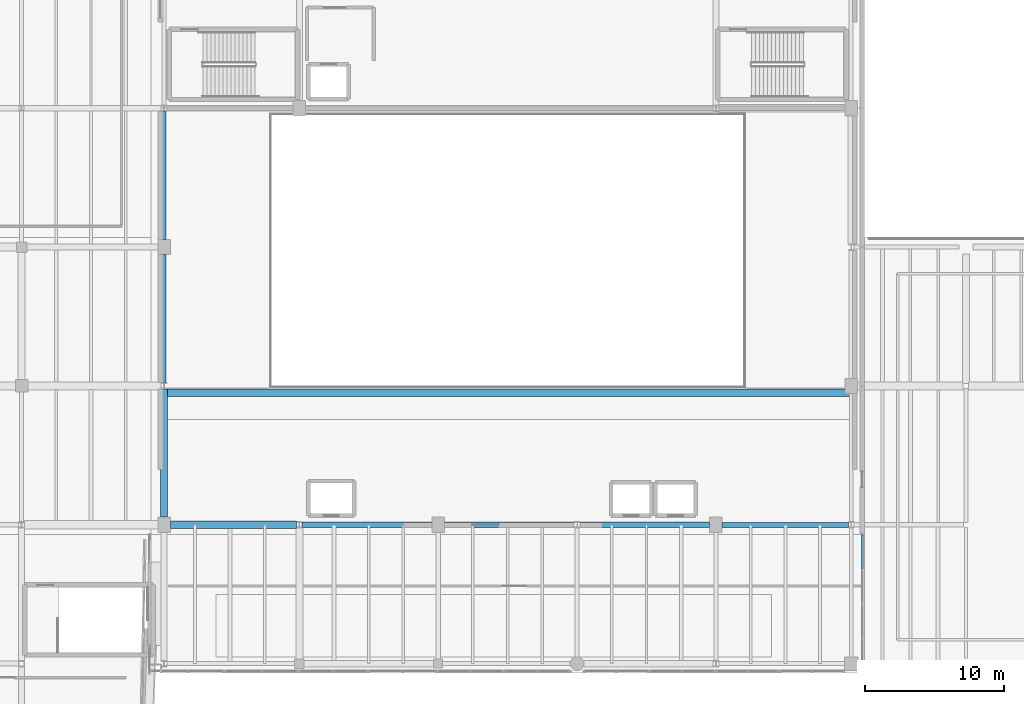
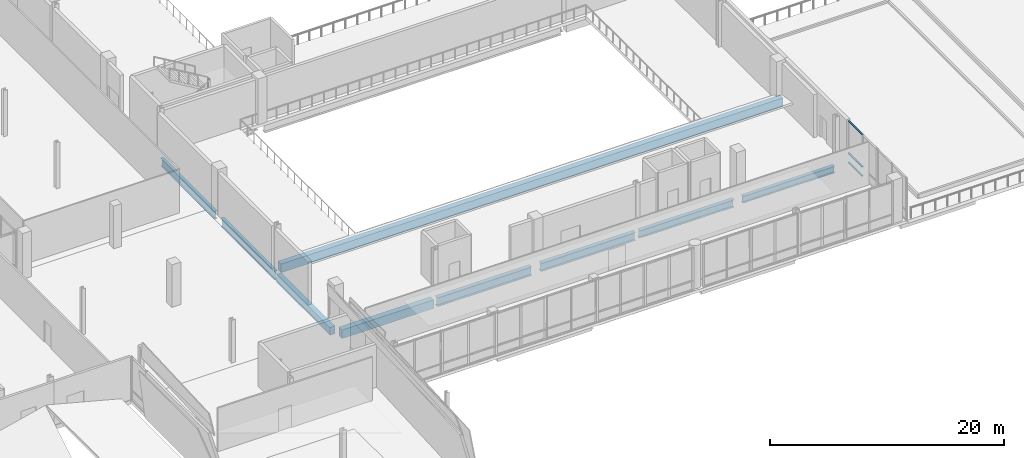
# One storey, part 20 of 41: 9 beams, 3 members, 1 element without a shape of its own.
"""IFC4 building model written with IfcOpenShell, lengths in metres."""

from ifc_helpers import new_model, si_unit, direction, frame, origin, origin_2d, place, context, subcontext, project, spatial, rectangle, i_section, extrude, material, material_profile, profile_set, type_object, element, aggregate, save


model = new_model("IFC4")

# Units and contexts
model_context = context("Model", 3, precision=1e-05, world=origin(), true_north=direction((0.0, 1.0)))
body_context = subcontext(model_context, "Body", "Model", "MODEL_VIEW")
ifc_project = project(units=[si_unit("LENGTHUNIT", "METRE"), si_unit("AREAUNIT", "SQUARE_METRE"), si_unit("VOLUMEUNIT", "CUBIC_METRE"), si_unit("PLANEANGLEUNIT", "RADIAN"), si_unit("MASSUNIT", "GRAM", prefix="KILO")], contexts=[model_context])

# Site, building, storey
site_placement = place(None, origin())
site = spatial("IfcSite", under=ifc_project, at=site_placement, CompositionType="ELEMENT")
building_placement = place(site_placement, origin())
building = spatial("IfcBuilding", under=site, at=building_placement, Name="Trimount Lyric Opera House", CompositionType="ELEMENT")
storey_placement = place(building_placement, frame((0.0, 0.0, 20.0)))
storey = spatial("IfcBuildingStorey", under=building, at=storey_placement, Name="L04", CompositionType="ELEMENT", Elevation=20.0)

# Beams
ifc_material_1 = material(Name="Steel ASTM A992 Grade 50", Category="steel")
ifc_material_profile_1 = material_profile(ifc_material_1, i_section(OverallWidth=0.4189453125, OverallDepth=0.927001953125, WebThickness=0.019287109375, FlangeThickness=0.031982421875, FilletRadius=0.02392578125, at=origin_2d()), Name="W36X231")
ifc_profile_set_1 = profile_set([ifc_material_profile_1], Name="Steel ASTM A992 Grade 50")
beam_type_1 = type_object("IfcBeamType", Name="B-02", PredefinedType="BEAM", material=ifc_profile_set_1)
beam_1_placement = place(storey_placement, frame((74.2109375, 54.0, -0.78857421875), z_axis=(1.0, 0.0, 0.0), x_axis=(0.0, 1.0, 0.0)))
element("IfcBeam", 1, at=beam_1_placement, inside=storey, type_object=beam_type_1, Name="L04 girder X-1143", PredefinedType="BEAM", context=body_context, shape_type="SweptSolid", body=[
    extrude(i_section(OverallWidth=0.4189453125, OverallDepth=0.927001953125, WebThickness=0.019287109375, FlangeThickness=0.031982421875, FilletRadius=0.02392578125, at=origin_2d()), origin(), (0.0, 0.0, 1.0), 9.339111328125),
])
ifc_material_2 = material(Name="Steel ASTM A992 Grade 50", Category="steel")
ifc_material_profile_2 = material_profile(ifc_material_2, i_section(OverallWidth=0.304931640625, OverallDepth=0.9189453125, WebThickness=0.017333984375, FlangeThickness=0.02783203125, FilletRadius=0.02001953125, at=origin_2d()), Name="W36X170")
ifc_profile_set_2 = profile_set([ifc_material_profile_2], Name="Steel ASTM A992 Grade 50")
beam_type_2 = type_object("IfcBeamType", Name="B-03", PredefinedType="BEAM", material=ifc_profile_set_2)
beam_2_placement = place(storey_placement, frame((64.260009765625, 64.232421875, -0.784423828125), z_axis=(0.0, 1.0, 0.0), x_axis=(-1.0, 0.0, 0.0)))
element("IfcBeam", 2, at=beam_2_placement, inside=storey, type_object=beam_type_2, Name="L04 girder Y-1218", PredefinedType="BEAM", context=body_context, shape_type="SweptSolid", body=[
    extrude(i_section(OverallWidth=0.304931640625, OverallDepth=0.9189453125, WebThickness=0.017333984375, FlangeThickness=0.02783203125, FilletRadius=0.02001953125, at=origin_2d()), origin(), (0.0, 0.0, 1.0), 9.217529296875),
])
ifc_material_3 = material(Name="Steel ASTM A992 Grade 50", Category="steel")
ifc_material_profile_3 = material_profile(ifc_material_3, i_section(OverallWidth=0.40087890625, OverallDepth=0.861083984375, WebThickness=0.019775390625, FlangeThickness=0.032470703125, FilletRadius=0.02001953125, at=origin_2d()), Name="W33X221")
ifc_profile_set_3 = profile_set([ifc_material_profile_3], Name="Steel ASTM A992 Grade 50")
beam_type_3 = type_object("IfcBeamType", Name="B-04", PredefinedType="BEAM", material=ifc_profile_set_3)
beam_3_placement = place(storey_placement, frame((84.449951171875, 54.0, -0.755615234375), z_axis=(1.0, 0.0, 0.0), x_axis=(0.0, 1.0, 0.0)))
element("IfcBeam", 3, at=beam_3_placement, inside=storey, type_object=beam_type_3, Name="L04 girder X-1144", PredefinedType="BEAM", context=body_context, shape_type="SweptSolid", body=[
    extrude(i_section(OverallWidth=0.40087890625, OverallDepth=0.861083984375, WebThickness=0.019775390625, FlangeThickness=0.032470703125, FilletRadius=0.02001953125, at=origin_2d()), origin(), (0.0, 0.0, 1.0), 9.339111328125),
])
ifc_material_4 = material(Name="Steel ASTM A992 Grade 50", Category="steel")
ifc_material_profile_4 = material_profile(ifc_material_4, i_section(OverallWidth=0.2919921875, OverallDepth=0.845947265625, WebThickness=0.015380859375, FlangeThickness=0.0244140625, FilletRadius=0.01806640625, at=origin_2d()), Name="W33X141")
ifc_profile_set_4 = profile_set([ifc_material_profile_4], Name="Steel ASTM A992 Grade 50")
beam_type_4 = type_object("IfcBeamType", Name="B-05", PredefinedType="BEAM", material=ifc_profile_set_4)
beam_4_placement = place(storey_placement, frame((64.260009765625, 74.550048828125, -0.748046875), z_axis=(0.0, 1.0, 0.0), x_axis=(-1.0, 0.0, 0.0)))
element("IfcBeam", 4, at=beam_4_placement, inside=storey, type_object=beam_type_4, Name="L04 girder Y-1219", PredefinedType="BEAM", context=body_context, shape_type="SweptSolid", body=[
    extrude(i_section(OverallWidth=0.2919921875, OverallDepth=0.845947265625, WebThickness=0.015380859375, FlangeThickness=0.0244140625, FilletRadius=0.01806640625, at=origin_2d()), origin(), (0.0, 0.0, 1.0), 9.217529296875),
])
ifc_material_5 = material(Name="Steel ASTM A992 Grade 50", Category="steel")
ifc_material_profile_5 = material_profile(ifc_material_5, i_section(OverallWidth=0.382080078125, OverallDepth=0.779052734375, WebThickness=0.01806640625, FlangeThickness=0.0302734375, FilletRadius=0.01904296875, at=origin_2d()), Name="W30X191")
ifc_profile_set_5 = profile_set([ifc_material_profile_5], Name="Steel ASTM A992 Grade 50")
beam_type_5 = type_object("IfcBeamType", Name="B-06", PredefinedType="BEAM", material=ifc_profile_set_5)
beam_5_placement = place(storey_placement, frame((94.2109375, 54.0, -0.714599609375), z_axis=(1.0, 0.0, 0.0), x_axis=(0.0, 1.0, 0.0)))
element("IfcBeam", 5, at=beam_5_placement, inside=storey, type_object=beam_type_5, Name="L04 girder X-1145", PredefinedType="BEAM", context=body_context, shape_type="SweptSolid", body=[
    extrude(i_section(OverallWidth=0.382080078125, OverallDepth=0.779052734375, WebThickness=0.01806640625, FlangeThickness=0.0302734375, FilletRadius=0.01904296875, at=origin_2d()), origin(), (0.0, 0.0, 1.0), 9.339111328125),
])
ifc_material_6 = material(Name="Steel ASTM A992 Grade 50", Category="steel")
ifc_material_profile_6 = material_profile(ifc_material_6, i_section(OverallWidth=0.35595703125, OverallDepth=0.700927734375, WebThickness=0.016845703125, FlangeThickness=0.02734375, FilletRadius=0.01806640625, at=origin_2d()), Name="W27X161")
ifc_profile_set_6 = profile_set([ifc_material_profile_6], Name="Steel ASTM A992 Grade 50")
beam_type_6 = type_object("IfcBeamType", Name="B-08", PredefinedType="BEAM", material=ifc_profile_set_6)
beam_6_placement = place(storey_placement, frame((104.449951171875, 54.0, -0.675537109375), z_axis=(1.0, 0.0, 0.0), x_axis=(0.0, 1.0, 0.0)))
element("IfcBeam", 6, at=beam_6_placement, inside=storey, type_object=beam_type_6, Name="L04 girder X-1146", PredefinedType="BEAM", context=body_context, shape_type="SweptSolid", body=[
    extrude(i_section(OverallWidth=0.35595703125, OverallDepth=0.700927734375, WebThickness=0.016845703125, FlangeThickness=0.02734375, FilletRadius=0.01806640625, at=origin_2d()), origin(), (0.0, 0.0, 1.0), 9.0791015625),
])
ifc_material_7 = material(Name="Concrete C40/50", Category="concrete")
ifc_material_profile_7 = material_profile(ifc_material_7, rectangle(XDim=0.550048828125, YDim=0.89990234375, at=origin_2d()), Name="RC550X900")
ifc_profile_set_7 = profile_set([ifc_material_profile_7], Name="Concrete C40/50")
beam_type_7 = type_object("IfcBeamType", Name="B-14", PredefinedType="BEAM", material=ifc_profile_set_7)
beam_7_placement = place(storey_placement, frame((64.7099609375, 54.0, -0.77490234375), z_axis=(1.0, 0.0, 0.0), x_axis=(0.0, 1.0, 0.0)))
element("IfcBeam", 7, at=beam_7_placement, inside=storey, type_object=beam_type_7, Name="L04 girder X-1142", PredefinedType="BEAM", context=body_context, shape_type="SweptSolid", body=[
    extrude(rectangle(XDim=0.550048828125, YDim=0.89990234375, at=origin_2d()), origin(), (0.0, 0.0, 1.0), 9.0791015625),
])
ifc_material_8 = material(Name="Concrete C40/50", Category="concrete")
ifc_material_profile_8 = material_profile(ifc_material_8, rectangle(XDim=0.5, YDim=0.800048828125, at=origin_2d()), Name="RC500X800")
ifc_profile_set_8 = profile_set([ifc_material_profile_8], Name="Concrete C40/50")
beam_type_8 = type_object("IfcBeamType", Name="B-15", PredefinedType="BEAM", material=ifc_profile_set_8)
beam_8_placement = place(storey_placement, frame((64.260009765625, 54.550048828125, -0.72509765625), z_axis=(0.0, 1.0, 0.0), x_axis=(-1.0, 0.0, 0.0)))
element("IfcBeam", 8, at=beam_8_placement, inside=storey, type_object=beam_type_8, Name="L04 girder Y-1217", PredefinedType="BEAM", context=body_context, shape_type="SweptSolid", body=[
    extrude(rectangle(XDim=0.5, YDim=0.800048828125, at=origin_2d()), origin(), (0.0, 0.0, 1.0), 9.217529296875),
])
ifc_material_9 = material(Name="Concrete C40/50", Category="concrete")
ifc_material_profile_9 = material_profile(ifc_material_9, rectangle(XDim=0.550048828125, YDim=0.89990234375, at=origin_2d()), Name="RC550X900")
ifc_profile_set_9 = profile_set([ifc_material_profile_9], Name="Concrete C40/50")
beam_type_9 = type_object("IfcBeamType", Name="RK-02", PredefinedType="USERDEFINED", material=ifc_profile_set_9)
beam_9_placement = place(storey_placement, frame((64.179931640625, 63.5, 0.55078125), z_axis=(1.0, 0.0, 0.0), x_axis=(0.0, 1.0, 0.0)))
element("IfcBeam", 9, at=beam_9_placement, inside=storey, type_object=beam_type_9, Name="Upper Gallery Balcony Tier raker 1", ObjectType="RAKER", PredefinedType="USERDEFINED", context=body_context, shape_type="SweptSolid", body=[
    extrude(rectangle(XDim=0.550048828125, YDim=0.89990234375, at=origin_2d()), origin(), (0.0, 0.0, 1.0), 49.64013671875),
])

# Curtain wall, members
ifc_material_10 = material(Name="Thermally Broken Aluminium and Low-E Glass", Category="aluminium")
curtain_wall_type = type_object("IfcCurtainWallType", Name="CW-05", PredefinedType="NOTDEFINED", material=ifc_material_10)
curtain_wall_placement = place(storey_placement, origin())
curtain_wall = element("IfcCurtainWall", 10, at=curtain_wall_placement, inside=storey, type_object=curtain_wall_type, Name="L04 curtain wall 321", PredefinedType="NOTDEFINED")
ifc_material_11 = material(Name="Anodised Aluminium 6063-T6", Category="aluminium")
ifc_material_profile_10 = material_profile(ifc_material_11, rectangle(XDim=0.159912109375, YDim=0.070068359375, at=origin_2d()), Name="ALU-TRAN-70X160")
ifc_profile_set_10 = profile_set([ifc_material_profile_10], Name="Anodised Aluminium 6063-T6")
member_type = type_object("IfcMemberType", Name="TR-01", PredefinedType="USERDEFINED", material=ifc_profile_set_10)
member_1_placement = place(storey_placement, frame((114.5400390625, 53.25, 0.080078125), z_axis=(0.0, -1.0, 0.0), x_axis=(1.0, 0.0, 0.0)))
member_1 = element("IfcMember", 11, at=member_1_placement, type_object=member_type, Name="CW-05 transom 1.1", ObjectType="TRANSOM", PredefinedType="USERDEFINED", context=body_context, shape_type="SweptSolid", body=[
    extrude(rectangle(XDim=0.159912109375, YDim=0.070068359375, at=origin_2d()), origin(), (0.0, 0.0, 1.0), 2.39501953125),
])
member_2_placement = place(storey_placement, frame((114.5400390625, 53.25, 1.050048828125), z_axis=(0.0, -1.0, 0.0), x_axis=(1.0, 0.0, 0.0)))
member_2 = element("IfcMember", 12, at=member_2_placement, type_object=member_type, Name="CW-05 transom 1.2", ObjectType="TRANSOM", PredefinedType="USERDEFINED", context=body_context, shape_type="SweptSolid", body=[
    extrude(rectangle(XDim=0.159912109375, YDim=0.070068359375, at=origin_2d()), origin(), (0.0, 0.0, 1.0), 2.39501953125),
])
member_3_placement = place(storey_placement, frame((114.5400390625, 53.25, 4.419921875), z_axis=(0.0, -1.0, 0.0), x_axis=(1.0, 0.0, 0.0)))
member_3 = element("IfcMember", 13, at=member_3_placement, type_object=member_type, Name="CW-05 transom 1.3", ObjectType="TRANSOM", PredefinedType="USERDEFINED", context=body_context, shape_type="SweptSolid", body=[
    extrude(rectangle(XDim=0.159912109375, YDim=0.070068359375, at=origin_2d()), origin(), (0.0, 0.0, 1.0), 2.39501953125),
])
aggregate(curtain_wall, [member_1, member_2, member_3])

save(model, "model.ifc")
